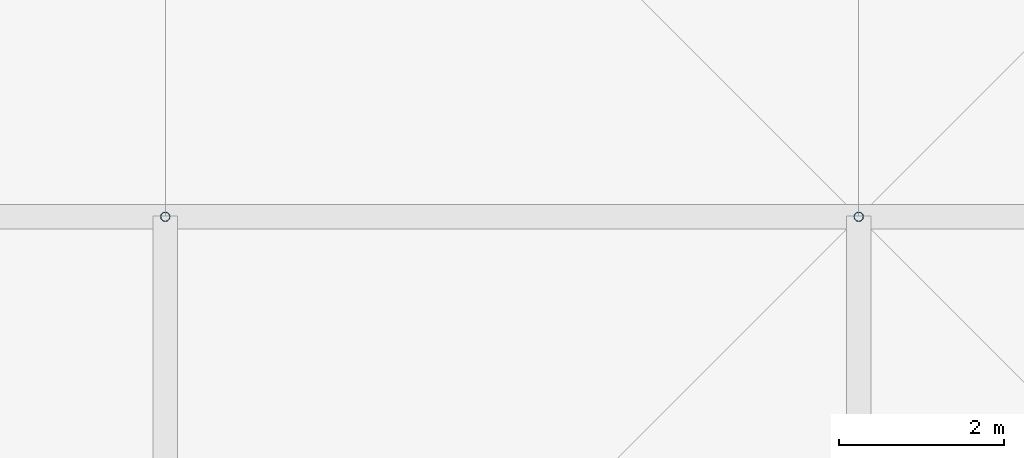
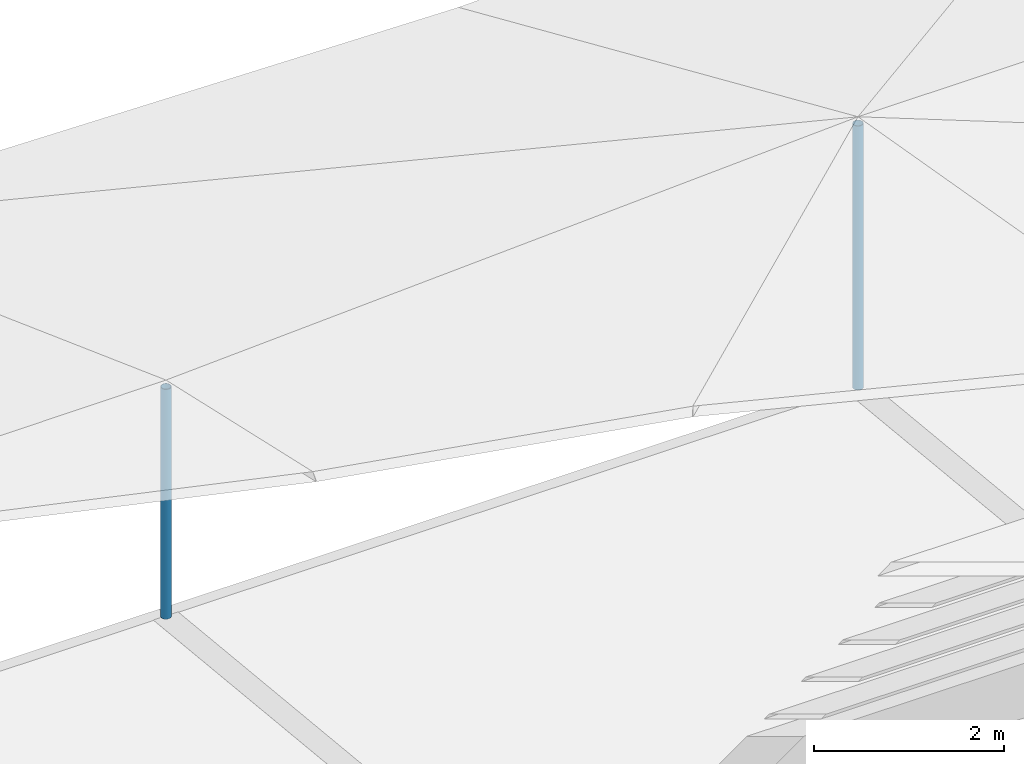
# One storey, part 35 of 46: 2 discrete accessories.
"""IFC4 building model written with IfcOpenShell, lengths in metres."""

from ifc_helpers import new_model, si_unit, direction, frame, origin, origin_2d, place, context, subcontext, project, spatial, hollow_circle, extrude, material, material_profile, profile_set, type_object, element, save


model = new_model("IFC4")

# Units and contexts
model_context = context("Model", 3, precision=1e-05, world=origin(), true_north=direction((0.0, 1.0)))
body_context = subcontext(model_context, "Body", "Model", "MODEL_VIEW")
ifc_project = project(units=[si_unit("LENGTHUNIT", "METRE"), si_unit("AREAUNIT", "SQUARE_METRE"), si_unit("VOLUMEUNIT", "CUBIC_METRE"), si_unit("PLANEANGLEUNIT", "RADIAN"), si_unit("MASSUNIT", "GRAM", prefix="KILO")], contexts=[model_context])

# Site, building, storey
site_placement = place(None, origin())
site = spatial("IfcSite", under=ifc_project, at=site_placement, CompositionType="ELEMENT")
building_placement = place(site_placement, origin())
building = spatial("IfcBuilding", under=site, at=building_placement, Name="Rain Tree Exposition and Congress Centre", CompositionType="ELEMENT")
storey_placement = place(building_placement, frame((0.0, 0.0, 27.0)))
storey = spatial("IfcBuildingStorey", under=building, at=storey_placement, Name="ROOF VAULT CREST", CompositionType="ELEMENT", Elevation=27.0)

# Discrete accessories
ifc_material = material(Name="Steel S355J2H", Category="steel")
ifc_material_profile = material_profile(ifc_material, hollow_circle(Radius=0.05712890625, WallThickness=0.00439453125, at=origin_2d()), Name="CHS 114x4.5")
ifc_profile_set = profile_set([ifc_material_profile], Name="Steel S355J2H")
discrete_accessory_type = type_object("IfcDiscreteAccessoryType", Name="Roof skin post CHS 114x4.5", PredefinedType="BRACKET", material=ifc_profile_set)
discrete_accessory_1_placement = place(storey_placement, frame((218.39990234375, 184.800048828125, 0.551025390625), z_axis=(0.0, 0.0, 1.0), x_axis=(1.0, 0.0, 0.0)))
element("IfcDiscreteAccessory", 1, at=discrete_accessory_1_placement, inside=storey, type_object=discrete_accessory_type, Name="Roof skin post B140", PredefinedType="BRACKET", context=body_context, shape_type="SweptSolid", body=[
    extrude(hollow_circle(Radius=0.05712890625, WallThickness=0.00439453125, at=origin_2d()), origin(), (0.0, 0.0, 1.0), 2.95166015625),
])
discrete_accessory_2_placement = place(storey_placement, frame((226.800048828125, 184.800048828125, 0.551025390625), z_axis=(0.0, 0.0, 1.0), x_axis=(1.0, 0.0, 0.0)))
element("IfcDiscreteAccessory", 2, at=discrete_accessory_2_placement, inside=storey, type_object=discrete_accessory_type, Name="Roof skin post B141", PredefinedType="BRACKET", context=body_context, shape_type="SweptSolid", body=[
    extrude(hollow_circle(Radius=0.05712890625, WallThickness=0.00439453125, at=origin_2d()), origin(), (0.0, 0.0, 1.0), 3.389892578125),
])

save(model, "model.ifc")
